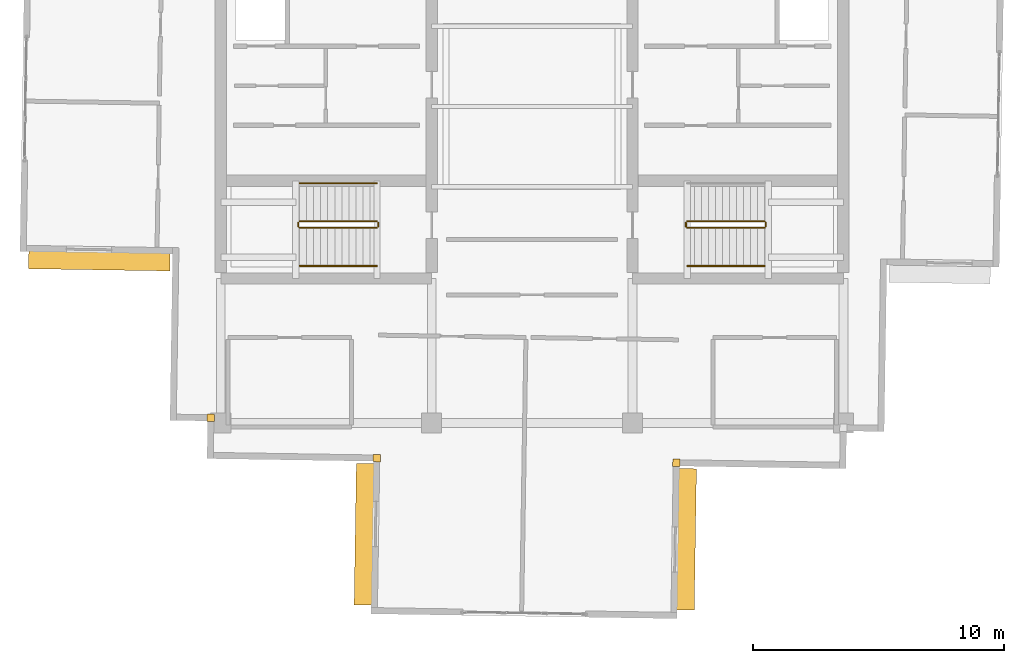
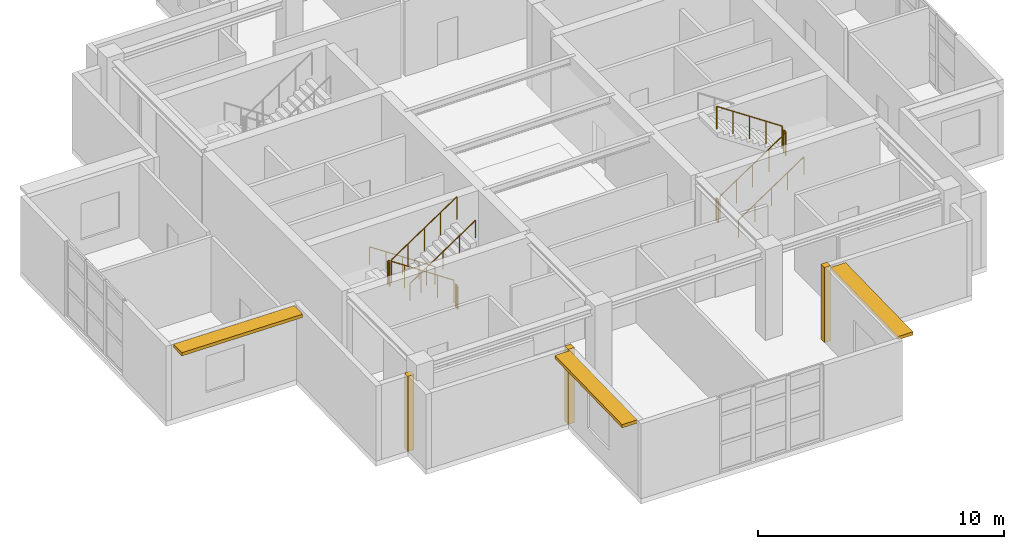
# One storey, part 13 of 15: 11 railings, 3 coverings, 3 shading devices.
"""IFC4 building model written with IfcOpenShell, lengths in metres."""

from ifc_helpers import new_model, si_unit, direction, frame, origin, origin_2d, place, context, subcontext, project, spatial, rectangle, circle, extrude, material, layer, layer_set, type_object, element, save


model = new_model("IFC4")

# Units and contexts
model_context = context("Model", 3, precision=1e-05, world=origin(), true_north=direction((0.0, 1.0)))
body_context = subcontext(model_context, "Body", "Model", "MODEL_VIEW")
ifc_project = project(units=[si_unit("LENGTHUNIT", "METRE"), si_unit("AREAUNIT", "SQUARE_METRE"), si_unit("VOLUMEUNIT", "CUBIC_METRE"), si_unit("PLANEANGLEUNIT", "RADIAN"), si_unit("MASSUNIT", "GRAM", prefix="KILO")], contexts=[model_context])

# Site, building, storey
site_placement = place(None, origin())
site = spatial("IfcSite", under=ifc_project, at=site_placement, CompositionType="ELEMENT")
building_placement = place(site_placement, origin())
building = spatial("IfcBuilding", under=site, at=building_placement, Name="Qingluan Cross Belvedere", CompositionType="ELEMENT")
storey_placement = place(building_placement, frame((0.0, 0.0, 312.89990234375)))
storey = spatial("IfcBuildingStorey", under=building, at=storey_placement, Name="L77", CompositionType="ELEMENT", Elevation=312.89990234375)

# Coverings
ifc_material_1 = material(Name="Precast concrete C45", Category="concrete")
ifc_layer_1 = layer(ifc_material_1, 0.1201171875, Name="ConcreteSpandrelCladding_120")
ifc_layer_set_1 = layer_set([ifc_layer_1], Name="Precast concrete C45")
covering_type = type_object("IfcCoveringType", Name="ConcreteSpandrelCladding_120", PredefinedType="CLADDING", material=ifc_layer_set_1)
for number, where, z_axis, x_axis, name in (
    (1, (-12.79638671875, -12.400390625, 0.0), (0.0, 0.0, 1.0), (0.999876632482, -0.015707317312, 0.0), "Corner closure L77-SW1"),
    (2, (-6.190673828125, -14.00439453125, 0.0), (0.0, 0.0, 1.0), (0.999876632482, -0.015707317312, 0.0), "Corner closure L77-SW2"),
    (3, (5.747802734375, -14.19189453125, 0.0), (0.0, 0.0, 1.0), (0.999876632482, -0.015707317312, 0.0), "Corner closure L77-SE2"),
):
    element("IfcCovering", number, at=place(storey_placement, frame(where, z_axis=z_axis, x_axis=x_axis)), inside=storey, type_object=covering_type, Name=name, PredefinedType="CLADDING", context=body_context, shape_type="SweptSolid", body=[
        extrude(rectangle(XDim=0.2900390625, YDim=0.2900390625, at=origin_2d()), origin(), (0.0, 0.0, 1.0), 3.72998046875),
    ])

# Shading devices
ifc_material_2 = material(Name="Precast concrete C45", Category="concrete")
ifc_layer_2 = layer(ifc_material_2, 0.139892578125, Name="ConcreteSunshadeBand_700")
ifc_layer_set_2 = layer_set([ifc_layer_2], Name="Precast concrete C45")
shading_device_type = type_object("IfcShadingDeviceType", Name="ConcreteSunshadeBand_700", PredefinedType="USERDEFINED", material=ifc_layer_set_2)
for number, where, z_axis, x_axis, name in (
    (4, (-17.23876953125, -6.155029296875, 3.55029296875), (0.0, 0.0, 1.0), (0.999876831646, -0.015694634014, 0.0), "Concrete SUNSHADE L77-WB"),
    (5, (-6.693359375, -17.037109375, 3.55029296875), (0.0, 0.0, 1.0), (-0.015711782395, -0.999876562329, 0.0), "Concrete SUNSHADE L77-SA"),
    (6, (6.155029296875, -17.23876953125, 3.55029296875), (0.0, 0.0, 1.0), (0.015694634014, 0.999876831646, 0.0), "Concrete SUNSHADE L77-SB"),
):
    element("IfcShadingDevice", number, at=place(storey_placement, frame(where, z_axis=z_axis, x_axis=x_axis)), inside=storey, type_object=shading_device_type, Name=name, ObjectType="SUNSHADE", PredefinedType="USERDEFINED", context=body_context, shape_type="SweptSolid", body=[
        extrude(rectangle(XDim=5.6298828125, YDim=0.699951171875, at=origin_2d()), origin(), (0.0, 0.0, 1.0), 0.159912109375),
    ])

# Railings
ifc_material_3 = material(Name="Brushed stainless steel tubular handrail", Category="steel")
railing_type_1 = type_object("IfcRailingType", Name="StairPitchHandrail_900", PredefinedType="HANDRAIL", material=ifc_material_3)
railing_1_placement = place(storey_placement, frame((-6.179931640625, -3.050048828125, 0.1875)))
element("IfcRailing", 7, at=railing_1_placement, inside=storey, type_object=railing_type_1, Name="L77 ST1 stair handrail 1", PredefinedType="HANDRAIL", context=body_context, shape_type="SweptSolid", body=[
    extrude(circle(Radius=0.02392578125, at=origin_2d()), frame((0.0, 0.0, 0.8759765625), z_axis=(-0.830913701846, 0.0, 0.55640131208), x_axis=(0.0, -1.0, 0.0)), (0.0, 0.0, 1.0), 3.706787109375),
    extrude(circle(Radius=0.02099609375, at=origin_2d()), origin(), (0.0, 0.0, 1.0), 0.851806640625),
    extrude(circle(Radius=0.02099609375, at=origin_2d()), frame((-0.77001953125, 0.0, 0.515625)), (0.0, 0.0, 1.0), 0.851806640625),
    extrude(circle(Radius=0.02099609375, at=origin_2d()), frame((-1.5400390625, 0.0, 1.03125)), (0.0, 0.0, 1.0), 0.851806640625),
    extrude(circle(Radius=0.02099609375, at=origin_2d()), frame((-2.31005859375, 0.0, 1.546875)), (0.0, 0.0, 1.0), 0.851806640625),
    extrude(circle(Radius=0.02099609375, at=origin_2d()), frame((-3.080078125, 0.0, 2.0625)), (0.0, 0.0, 1.0), 0.851806640625),
])
for number, where, name in (
    (8, (-9.260009765625, -6.35009765625, 2.4375), "L77 ST1 stair handrail 2"),
    (9, (6.179931640625, -6.35009765625, 0.1875), "L77 ST2 stair handrail 1"),
):
    element("IfcRailing", number, at=place(storey_placement, frame(where)), inside=storey, type_object=railing_type_1, Name=name, PredefinedType="HANDRAIL", context=body_context, shape_type="SweptSolid", body=[
        extrude(circle(Radius=0.02392578125, at=origin_2d()), frame((0.0, 0.0, 0.8759765625), z_axis=(0.830913701846, 0.0, 0.55640131208), x_axis=(0.0, 1.0, 0.0)), (0.0, 0.0, 1.0), 3.706787109375),
        extrude(circle(Radius=0.02099609375, at=origin_2d()), origin(), (0.0, 0.0, 1.0), 0.851806640625),
        extrude(circle(Radius=0.02099609375, at=origin_2d()), frame((0.77001953125, 0.0, 0.515625)), (0.0, 0.0, 1.0), 0.851806640625),
        extrude(circle(Radius=0.02099609375, at=origin_2d()), frame((1.5400390625, 0.0, 1.03125)), (0.0, 0.0, 1.0), 0.851806640625),
        extrude(circle(Radius=0.02099609375, at=origin_2d()), frame((2.31005859375, 0.0, 1.546875)), (0.0, 0.0, 1.0), 0.851806640625),
        extrude(circle(Radius=0.02099609375, at=origin_2d()), frame((3.080078125, 0.0, 2.0625)), (0.0, 0.0, 1.0), 0.851806640625),
    ])
ifc_material_4 = material(Name="Painted steel stair well guard", Category="steel")
railing_type_2 = type_object("IfcRailingType", Name="StairWellGuard_1150", PredefinedType="BALUSTRADE", material=ifc_material_4)
railing_2_placement = place(storey_placement, frame((-6.179931640625, -4.570068359375, 0.1875)))
element("IfcRailing", 10, at=railing_2_placement, inside=storey, type_object=railing_type_2, Name="L77 ST1 stair guard 1", PredefinedType="BALUSTRADE", context=body_context, shape_type="SweptSolid", body=[
    extrude(circle(Radius=0.02392578125, at=origin_2d()), frame((0.0, 0.0, 1.1259765625), z_axis=(-0.830913701846, 0.0, 0.55640131208), x_axis=(0.0, -1.0, 0.0)), (0.0, 0.0, 1.0), 3.706787109375),
    extrude(circle(Radius=0.02099609375, at=origin_2d()), origin(), (0.0, 0.0, 1.0), 1.101806640625),
    extrude(circle(Radius=0.02099609375, at=origin_2d()), frame((-0.77001953125, 0.0, 0.515625)), (0.0, 0.0, 1.0), 1.101806640625),
    extrude(circle(Radius=0.02099609375, at=origin_2d()), frame((-1.5400390625, 0.0, 1.03125)), (0.0, 0.0, 1.0), 1.101806640625),
    extrude(circle(Radius=0.02099609375, at=origin_2d()), frame((-2.31005859375, 0.0, 1.546875)), (0.0, 0.0, 1.0), 1.101806640625),
    extrude(circle(Radius=0.02099609375, at=origin_2d()), frame((-3.080078125, 0.0, 2.0625)), (0.0, 0.0, 1.0), 1.101806640625),
])
railing_3_placement = place(storey_placement, frame((-9.31005859375, -4.6201171875, 2.25)))
element("IfcRailing", 11, at=railing_3_placement, inside=storey, type_object=railing_type_2, Name="L77 ST1 stair guard 2", PredefinedType="BALUSTRADE", context=body_context, shape_type="SweptSolid", body=[
    extrude(circle(Radius=0.02392578125, at=origin_2d()), frame((0.0, 0.0, 1.1259765625), z_axis=(0.0, -1.0, 0.0), x_axis=(1.0, 0.0, 0.0)), (0.0, 0.0, 1.0), 0.159912109375),
    extrude(circle(Radius=0.02099609375, at=origin_2d()), origin(), (0.0, 0.0, 1.0), 1.101806640625),
    extrude(circle(Radius=0.02099609375, at=origin_2d()), frame((0.0, -0.159912109375, 0.0)), (0.0, 0.0, 1.0), 1.101806640625),
])
railing_4_placement = place(storey_placement, frame((-9.260009765625, -4.830078125, 2.4375)))
element("IfcRailing", 12, at=railing_4_placement, inside=storey, type_object=railing_type_2, Name="L77 ST1 stair guard 3", PredefinedType="BALUSTRADE", context=body_context, shape_type="SweptSolid", body=[
    extrude(circle(Radius=0.02392578125, at=origin_2d()), frame((0.0, 0.0, 1.1259765625), z_axis=(0.830913701846, 0.0, 0.55640131208), x_axis=(0.0, 1.0, 0.0)), (0.0, 0.0, 1.0), 3.706787109375),
    extrude(circle(Radius=0.02099609375, at=origin_2d()), origin(), (0.0, 0.0, 1.0), 1.101806640625),
    extrude(circle(Radius=0.02099609375, at=origin_2d()), frame((0.77001953125, 0.0, 0.515625)), (0.0, 0.0, 1.0), 1.101806640625),
    extrude(circle(Radius=0.02099609375, at=origin_2d()), frame((1.5400390625, 0.0, 1.03125)), (0.0, 0.0, 1.0), 1.101806640625),
    extrude(circle(Radius=0.02099609375, at=origin_2d()), frame((2.31005859375, 0.0, 1.546875)), (0.0, 0.0, 1.0), 1.101806640625),
    extrude(circle(Radius=0.02099609375, at=origin_2d()), frame((3.080078125, 0.0, 2.0625)), (0.0, 0.0, 1.0), 1.101806640625),
])
railing_5_placement = place(storey_placement, frame((-6.1298828125, -4.6201171875, 0.0)))
element("IfcRailing", 13, at=railing_5_placement, inside=storey, type_object=railing_type_2, Name="L77 ST1 stair guard 4", PredefinedType="BALUSTRADE", context=body_context, shape_type="SweptSolid", body=[
    extrude(circle(Radius=0.02392578125, at=origin_2d()), frame((0.0, 0.0, 1.1259765625), z_axis=(0.0, -1.0, 0.0), x_axis=(1.0, 0.0, 0.0)), (0.0, 0.0, 1.0), 0.159912109375),
    extrude(circle(Radius=0.02099609375, at=origin_2d()), origin(), (0.0, 0.0, 1.0), 1.101806640625),
    extrude(circle(Radius=0.02099609375, at=origin_2d()), frame((0.0, -0.159912109375, 0.0)), (0.0, 0.0, 1.0), 1.101806640625),
])
railing_6_placement = place(storey_placement, frame((6.179931640625, -4.830078125, 0.1875)))
element("IfcRailing", 14, at=railing_6_placement, inside=storey, type_object=railing_type_2, Name="L77 ST2 stair guard 1", PredefinedType="BALUSTRADE", context=body_context, shape_type="SweptSolid", body=[
    extrude(circle(Radius=0.02392578125, at=origin_2d()), frame((0.0, 0.0, 1.1259765625), z_axis=(0.830913701846, 0.0, 0.55640131208), x_axis=(0.0, 1.0, 0.0)), (0.0, 0.0, 1.0), 3.706787109375),
    extrude(circle(Radius=0.02099609375, at=origin_2d()), origin(), (0.0, 0.0, 1.0), 1.101806640625),
    extrude(circle(Radius=0.02099609375, at=origin_2d()), frame((0.77001953125, 0.0, 0.515625)), (0.0, 0.0, 1.0), 1.101806640625),
    extrude(circle(Radius=0.02099609375, at=origin_2d()), frame((1.5400390625, 0.0, 1.03125)), (0.0, 0.0, 1.0), 1.101806640625),
    extrude(circle(Radius=0.02099609375, at=origin_2d()), frame((2.31005859375, 0.0, 1.546875)), (0.0, 0.0, 1.0), 1.101806640625),
    extrude(circle(Radius=0.02099609375, at=origin_2d()), frame((3.080078125, 0.0, 2.0625)), (0.0, 0.0, 1.0), 1.101806640625),
])
railing_7_placement = place(storey_placement, frame((9.31005859375, -4.780029296875, 2.25)))
element("IfcRailing", 15, at=railing_7_placement, inside=storey, type_object=railing_type_2, Name="L77 ST2 stair guard 2", PredefinedType="BALUSTRADE", context=body_context, shape_type="SweptSolid", body=[
    extrude(circle(Radius=0.02392578125, at=origin_2d()), frame((0.0, 0.0, 1.1259765625), z_axis=(0.0, 1.0, 0.0), x_axis=(-1.0, 0.0, 0.0)), (0.0, 0.0, 1.0), 0.159912109375),
    extrude(circle(Radius=0.02099609375, at=origin_2d()), origin(), (0.0, 0.0, 1.0), 1.101806640625),
    extrude(circle(Radius=0.02099609375, at=origin_2d()), frame((0.0, 0.159912109375, 0.0)), (0.0, 0.0, 1.0), 1.101806640625),
])
railing_8_placement = place(storey_placement, frame((9.260009765625, -4.570068359375, 2.4375)))
element("IfcRailing", 16, at=railing_8_placement, inside=storey, type_object=railing_type_2, Name="L77 ST2 stair guard 3", PredefinedType="BALUSTRADE", context=body_context, shape_type="SweptSolid", body=[
    extrude(circle(Radius=0.02392578125, at=origin_2d()), frame((0.0, 0.0, 1.1259765625), z_axis=(-0.830913701846, 0.0, 0.55640131208), x_axis=(0.0, -1.0, 0.0)), (0.0, 0.0, 1.0), 3.706787109375),
    extrude(circle(Radius=0.02099609375, at=origin_2d()), origin(), (0.0, 0.0, 1.0), 1.101806640625),
    extrude(circle(Radius=0.02099609375, at=origin_2d()), frame((-0.77001953125, 0.0, 0.515625)), (0.0, 0.0, 1.0), 1.101806640625),
    extrude(circle(Radius=0.02099609375, at=origin_2d()), frame((-1.5400390625, 0.0, 1.03125)), (0.0, 0.0, 1.0), 1.101806640625),
    extrude(circle(Radius=0.02099609375, at=origin_2d()), frame((-2.31005859375, 0.0, 1.546875)), (0.0, 0.0, 1.0), 1.101806640625),
    extrude(circle(Radius=0.02099609375, at=origin_2d()), frame((-3.080078125, 0.0, 2.0625)), (0.0, 0.0, 1.0), 1.101806640625),
])
railing_9_placement = place(storey_placement, frame((6.1298828125, -4.780029296875, 0.0)))
element("IfcRailing", 17, at=railing_9_placement, inside=storey, type_object=railing_type_2, Name="L77 ST2 stair guard 4", PredefinedType="BALUSTRADE", context=body_context, shape_type="SweptSolid", body=[
    extrude(circle(Radius=0.02392578125, at=origin_2d()), frame((0.0, 0.0, 1.1259765625), z_axis=(0.0, 1.0, 0.0), x_axis=(-1.0, 0.0, 0.0)), (0.0, 0.0, 1.0), 0.159912109375),
    extrude(circle(Radius=0.02099609375, at=origin_2d()), origin(), (0.0, 0.0, 1.0), 1.101806640625),
    extrude(circle(Radius=0.02099609375, at=origin_2d()), frame((0.0, 0.159912109375, 0.0)), (0.0, 0.0, 1.0), 1.101806640625),
])

save(model, "model.ifc")
